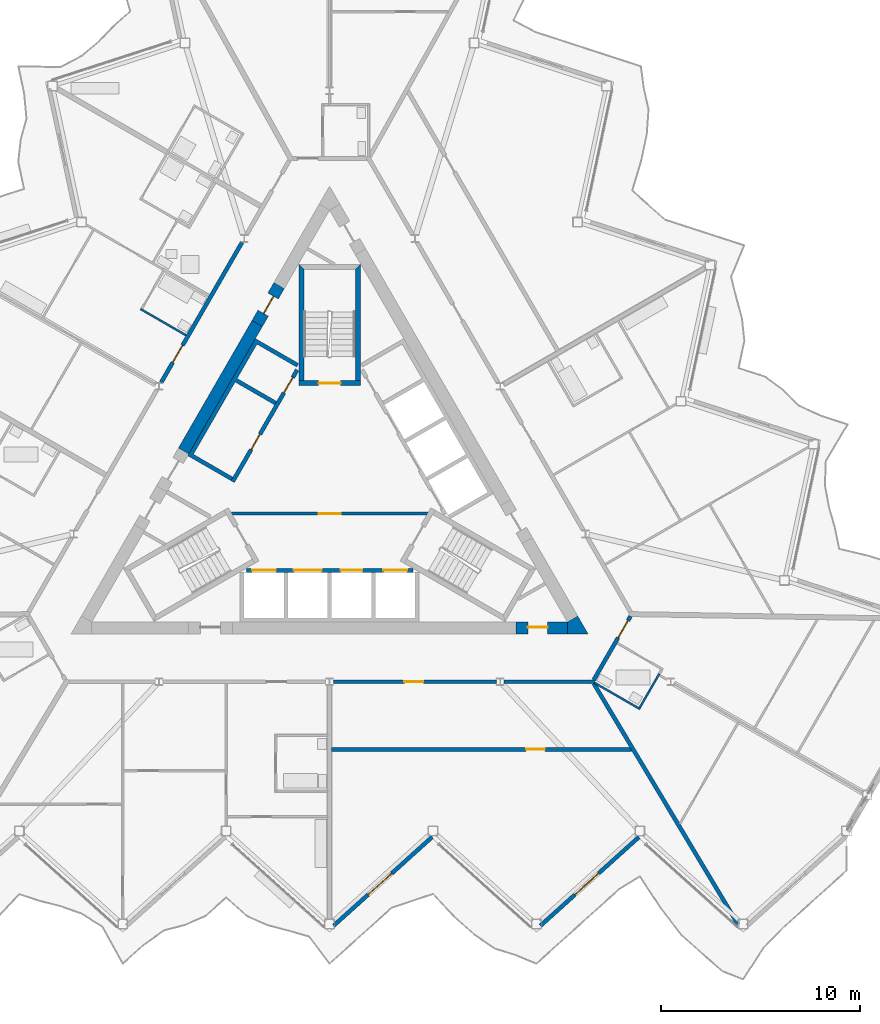
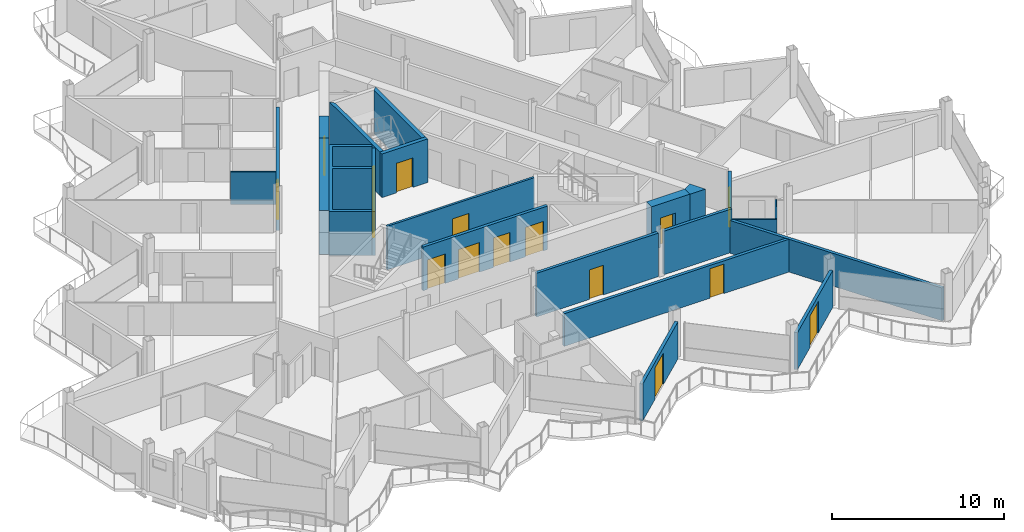
# One storey, part 14 of 26: 22 walls, 16 doors, 16 openings.
"""IFC4 building model written with IfcOpenShell, lengths in metres."""

from ifc_helpers import new_model, si_unit, direction, frame, frame_2d, origin, place, context, subcontext, project, spatial, polyline, rectangle, outline, extrude, material, layer, layer_set, type_object, element, fill, save


model = new_model("IFC4")

# Units and contexts
model_context = context("Model", 3, precision=1e-05, world=origin(), true_north=direction((0.0, 1.0)))
body_context = subcontext(model_context, "Body", "Model", "MODEL_VIEW")
ifc_project = project(units=[si_unit("LENGTHUNIT", "METRE"), si_unit("AREAUNIT", "SQUARE_METRE"), si_unit("VOLUMEUNIT", "CUBIC_METRE"), si_unit("PLANEANGLEUNIT", "RADIAN"), si_unit("MASSUNIT", "GRAM", prefix="KILO")], contexts=[model_context])

# Site, building, storey
site_placement = place(None, origin())
site = spatial("IfcSite", under=ifc_project, at=site_placement, CompositionType="ELEMENT")
building_placement = place(site_placement, origin())
building = spatial("IfcBuilding", under=site, at=building_placement, Name="Cormorant Prow Tower", CompositionType="ELEMENT")
storey_placement = place(building_placement, frame((0.0, 0.0, 388.199951171875)))
storey = spatial("IfcBuildingStorey", under=building, at=storey_placement, Name="L88", CompositionType="ELEMENT", Elevation=388.199951171875)

# Wall, opening, door
ifc_material_1 = material(Name="Gypsum board partition")
ifc_layer_1 = layer(ifc_material_1, 0.14990234375)
ifc_layer_set_1 = layer_set([ifc_layer_1], Name="Gypsum board partition")
wall_type_1 = type_object("IfcWallType", Name="Core partition 150", PredefinedType="PARTITIONING", material=ifc_layer_set_1)
wall_1_placement = place(storey_placement, frame((-4.941162109375, -1.449951171875, 0.0), z_axis=(0.0, 0.0, 1.0), x_axis=(1.0, 0.0, 0.0)))
wall_1 = element("IfcWall", 1, at=wall_1_placement, inside=storey, type_object=wall_type_1, Name="Firefighting lobby partition", PredefinedType="PARTITIONING", context=body_context, shape_type="SweptSolid", body=[
    extrude(rectangle(XDim=9.88232421875, YDim=0.14990234375, at=frame_2d((4.941162109375, 0.0))), origin(), (0.0, 0.0, 1.0), 3.10009765625),
])
opening_1_placement = place(wall_1_placement, frame((4.39111328125, 0.0, 0.0)))
opening_1 = element("IfcOpeningElement", 2, at=opening_1_placement, cuts=wall_1, Name="Opening L88-C11", PredefinedType="OPENING", context=body_context, shape_type="SweptSolid", body=[
    extrude(rectangle(XDim=1.10009765625, YDim=2.10009765625, at=frame_2d((0.550048828125, 1.050048828125))), frame((0.0, 0.0849609375, 0.0), z_axis=(0.0, -1.0, 0.0), x_axis=(1.0, 0.0, 0.0)), (0.0, 0.0, 1.0), 0.169921875),
])
ifc_material_2 = material(Name="Painted steel", Category="steel")
door_type_1 = type_object("IfcDoorType", Name="Firefighting lobby door 1100x2100", OperationType="NOTDEFINED", PredefinedType="DOOR", material=ifc_material_2)
door_1_placement = place(opening_1_placement, origin())
door_1 = element("IfcDoor", 3, at=door_1_placement, inside=storey, type_object=door_type_1, Name="Firefighting lobby door", OperationType="SINGLE_SWING_LEFT", OverallHeight=2.10009765625, OverallWidth=1.10009765625, PredefinedType="DOOR", context=body_context, shape_type="SweptSolid", body=[
    extrude(rectangle(XDim=1.10009765625, YDim=2.10009765625, at=frame_2d((0.550048828125, 1.050048828125))), frame((0.0, 0.02490234375, 0.0), z_axis=(0.0, -1.0, 0.0), x_axis=(1.0, 0.0, 0.0)), (0.0, 0.0, 1.0), 0.050048828125),
])
fill(opening_1, door_1)

# Walls
ifc_material_3 = material(Name="Concrete 8000 psi", Category="concrete")
ifc_layer_2 = layer(ifc_material_3, 0.60009765625)
ifc_layer_set_2 = layer_set([ifc_layer_2], Name="Concrete 8000 psi")
wall_type_2 = type_object("IfcWallType", Name="Core shear wall 600", PredefinedType="SHEAR", material=ifc_layer_set_2)
wall_2_placement = place(storey_placement, frame((-3.639404296875, 8.107421875, 0.0), z_axis=(0.0, 0.0, 1.0), x_axis=(-0.49999180351, -0.866030135978, 0.0)))
element("IfcWall", 4, at=wall_2_placement, inside=storey, type_object=wall_type_2, Name="Core wall", PredefinedType="SHEAR", context=body_context, shape_type="SweptSolid", body=[
    extrude(rectangle(XDim=7.4013671875, YDim=0.60009765625, at=frame_2d((3.70068359375, 0.0))), origin(), (0.0, 0.0, 1.0), 3.10009765625),
])
wall_3_placement = place(storey_placement, origin())
element("IfcWall", 5, at=wall_3_placement, inside=storey, type_object=wall_type_2, Name="Core wall corner", PredefinedType="SHEAR", context=body_context, shape_type="SweptSolid", body=[
    extrude(outline(polyline([(11.960693359375, -7.505615234375), (11.960693359375, -6.905517578125), (12.48046875, -6.605712890625), (13.0, -7.505615234375), (11.960693359375, -7.505615234375)])), origin(), (0.0, 0.0, 1.0), 3.10009765625),
])

# Wall, opening, door
wall_4_placement = place(storey_placement, frame((9.36865234375, -7.20556640625, 0.0), z_axis=(0.0, 0.0, 1.0), x_axis=(1.0, 0.0, 0.0)))
wall_4 = element("IfcWall", 6, at=wall_4_placement, inside=storey, type_object=wall_type_2, Name="Core wall door panel", PredefinedType="SHEAR", context=body_context, shape_type="SweptSolid", body=[
    extrude(rectangle(XDim=2.592041015625, YDim=0.60009765625, at=frame_2d((1.2958984375, 0.0))), origin(), (0.0, 0.0, 1.0), 3.10009765625),
])
opening_2_placement = place(wall_4_placement, frame((0.60009765625, 0.0, 0.0)))
opening_2 = element("IfcOpeningElement", 7, at=opening_2_placement, cuts=wall_4, Name="Opening L88-C15", PredefinedType="OPENING", context=body_context, shape_type="SweptSolid", body=[
    extrude(rectangle(XDim=1.0, YDim=2.10009765625, at=frame_2d((0.5, 1.050048828125))), frame((0.0, 0.31005859375, 0.0), z_axis=(0.0, -1.0, 0.0), x_axis=(1.0, 0.0, 0.0)), (0.0, 0.0, 1.0), 0.6201171875),
])
ifc_material_4 = material(Name="Painted steel", Category="steel")
door_type_2 = type_object("IfcDoorType", Name="Service door 1000x2100", OperationType="NOTDEFINED", PredefinedType="DOOR", material=ifc_material_4)
door_2_placement = place(opening_2_placement, origin())
door_2 = element("IfcDoor", 8, at=door_2_placement, inside=storey, type_object=door_type_2, Name="Core door, Telecom room", OperationType="SINGLE_SWING_RIGHT", OverallHeight=2.10009765625, OverallWidth=1.0, PredefinedType="DOOR", context=body_context, shape_type="SweptSolid", body=[
    extrude(rectangle(XDim=1.0, YDim=2.10009765625, at=frame_2d((0.5, 1.050048828125))), frame((0.0, 0.05517578125, 0.0), z_axis=(0.0, -1.0, 0.0), x_axis=(1.0, 0.0, 0.0)), (0.0, 0.0, 1.0), 0.050048828125),
])
fill(opening_2, door_2)

wall_5_placement = place(storey_placement, frame((-2.539306640625, 10.0126953125, 0.0), z_axis=(0.0, 0.0, 1.0), x_axis=(-0.50002983664, -0.866008176907, 0.0)))
wall_5 = element("IfcWall", 9, at=wall_5_placement, inside=storey, type_object=wall_type_2, Name="Core wall door panel", PredefinedType="SHEAR", context=body_context, shape_type="SweptSolid", body=[
    extrude(rectangle(XDim=2.199951171875, YDim=0.60009765625, at=frame_2d((1.10009765625, 0.0))), origin(), (0.0, 0.0, 1.0), 3.10009765625),
])
opening_3_placement = place(wall_5_placement, frame((0.60009765625, 0.0, 0.0)))
opening_3 = element("IfcOpeningElement", 10, at=opening_3_placement, cuts=wall_5, Name="Opening L88-C19", PredefinedType="OPENING", context=body_context, shape_type="SweptSolid", body=[
    extrude(rectangle(XDim=1.0, YDim=2.10009765625, at=frame_2d((0.5, 1.050048828125))), frame((0.0, 0.31005859375, 0.0), z_axis=(0.0, -1.0, 0.0), x_axis=(1.0, 0.0, 0.0)), (0.0, 0.0, 1.0), 0.6201171875),
])
door_3_placement = place(opening_3_placement, origin())
door_3 = element("IfcDoor", 11, at=door_3_placement, inside=storey, type_object=door_type_2, Name="Core door, Telecom room", OperationType="SINGLE_SWING_LEFT", OverallHeight=2.10009765625, OverallWidth=1.0, PredefinedType="DOOR", context=body_context, shape_type="SweptSolid", body=[
    extrude(rectangle(XDim=1.0, YDim=2.10009765625, at=frame_2d((0.5, 1.050048828125))), frame((0.0, 0.05517578125, 0.0), z_axis=(0.0, -1.0, 0.0), x_axis=(1.0, 0.0, 0.0)), (0.0, 0.0, 1.0), 0.050048828125),
])
fill(opening_3, door_3)

ifc_material_5 = material(Name="Gypsum board corridor wall")
ifc_layer_3 = layer(ifc_material_5, 0.199951171875)
ifc_layer_set_3 = layer_set([ifc_layer_3], Name="Gypsum board corridor wall")
wall_type_3 = type_object("IfcWallType", Name="Corridor wall 200", PredefinedType="PARTITIONING", material=ifc_layer_set_3)
wall_6_placement = place(storey_placement, frame((0.197021484375, -9.905517578125, 0.0), z_axis=(0.0, 0.0, 1.0), x_axis=(1.0, 0.0, 0.0)))
wall_6 = element("IfcWall", 12, at=wall_6_placement, inside=storey, type_object=wall_type_3, Name="Corridor wall", PredefinedType="PARTITIONING", context=body_context, shape_type="SweptSolid", body=[
    extrude(rectangle(XDim=8.1845703125, YDim=0.199951171875, at=frame_2d((4.09228515625, 0.0))), origin(), (0.0, 0.0, 1.0), 3.10009765625),
])
opening_4_placement = place(wall_6_placement, frame((3.56689453125, 0.0, 0.0)))
opening_4 = element("IfcOpeningElement", 13, at=opening_4_placement, cuts=wall_6, Name="Opening L88-F08", PredefinedType="OPENING", context=body_context, shape_type="SweptSolid", body=[
    extrude(rectangle(XDim=0.949951171875, YDim=2.10009765625, at=frame_2d((0.47509765625, 1.050048828125))), frame((0.0, 0.10986328125, 0.0), z_axis=(0.0, -1.0, 0.0), x_axis=(1.0, 0.0, 0.0)), (0.0, 0.0, 1.0), 0.219970703125),
])
ifc_material_6 = material(Name="Timber door leaf", Category="wood")
door_type_3 = type_object("IfcDoorType", Name="Store door 950x2100", OperationType="NOTDEFINED", PredefinedType="DOOR", material=ifc_material_6)
door_4_placement = place(opening_4_placement, origin())
door_4 = element("IfcDoor", 14, at=door_4_placement, inside=storey, type_object=door_type_3, Name="Bicycle store door", OperationType="SINGLE_SWING_LEFT", OverallHeight=2.10009765625, OverallWidth=0.949951171875, PredefinedType="DOOR", context=body_context, shape_type="SweptSolid", body=[
    extrude(rectangle(XDim=0.949951171875, YDim=2.10009765625, at=frame_2d((0.47509765625, 1.050048828125))), frame((0.0, 0.02490234375, 0.0), z_axis=(0.0, -1.0, 0.0), x_axis=(1.0, 0.0, 0.0)), (0.0, 0.0, 1.0), 0.050048828125),
])
fill(opening_4, door_4)

wall_7_placement = place(storey_placement, frame((-8.464599609375, 5.14990234375, 0.0), z_axis=(0.0, 0.0, 1.0), x_axis=(0.499992155518, 0.866029932751, 0.0)))
wall_7 = element("IfcWall", 15, at=wall_7_placement, inside=storey, type_object=wall_type_3, Name="Corridor wall", PredefinedType="PARTITIONING", context=body_context, shape_type="SweptSolid", body=[
    extrude(rectangle(XDim=8.123291015625, YDim=0.199951171875, at=frame_2d((4.0615234375, 0.0))), origin(), (0.0, 0.0, 1.0), 3.10009765625),
])
opening_5_placement = place(wall_7_placement, frame((1.1533203125, 0.0, 0.0)))
opening_5 = element("IfcOpeningElement", 16, at=opening_5_placement, cuts=wall_7, Name="Opening L88-F33", PredefinedType="OPENING", context=body_context, shape_type="SweptSolid", body=[
    extrude(rectangle(XDim=1.0, YDim=2.10009765625, at=frame_2d((0.5, 1.050048828125))), frame((0.0, 0.10986328125, 0.0), z_axis=(0.0, -1.0, 0.0), x_axis=(1.0, 0.0, 0.0)), (0.0, 0.0, 1.0), 0.219970703125),
])
ifc_material_7 = material(Name="Timber door leaf", Category="wood")
door_type_4 = type_object("IfcDoorType", Name="Flat or room entrance door 1000x2100", OperationType="NOTDEFINED", PredefinedType="DOOR", material=ifc_material_7)
door_5_placement = place(opening_5_placement, origin())
door_5 = element("IfcDoor", 17, at=door_5_placement, inside=storey, type_object=door_type_4, Name="Living room door", OperationType="SINGLE_SWING_RIGHT", OverallHeight=2.10009765625, OverallWidth=1.0, PredefinedType="DOOR", context=body_context, shape_type="SweptSolid", body=[
    extrude(rectangle(XDim=1.0, YDim=2.10009765625, at=frame_2d((0.5, 1.050048828125))), frame((0.0, 0.02490234375, 0.0), z_axis=(0.0, -1.0, 0.0), x_axis=(1.0, 0.0, 0.0)), (0.0, 0.0, 1.0), 0.050048828125),
])
fill(opening_5, door_5)

# Wall
wall_8_placement = place(storey_placement, frame((8.775390625, -9.905517578125, 0.0), z_axis=(0.0, 0.0, 1.0), x_axis=(1.0, 0.0, 0.0)))
element("IfcWall", 18, at=wall_8_placement, inside=storey, type_object=wall_type_3, Name="Corridor wall", PredefinedType="PARTITIONING", context=body_context, shape_type="SweptSolid", body=[
    extrude(rectangle(XDim=4.555419921875, YDim=0.199951171875, at=frame_2d((2.27783203125, 0.0))), origin(), (0.0, 0.0, 1.0), 3.10009765625),
])

# Wall, opening, door
wall_9_placement = place(storey_placement, frame((13.281005859375, -9.819091796875, 0.0), z_axis=(0.0, 0.0, 1.0), x_axis=(0.499948957823, 0.866054870994, 0.0)))
wall_9 = element("IfcWall", 19, at=wall_9_placement, inside=storey, type_object=wall_type_3, Name="Corridor wall", PredefinedType="PARTITIONING", context=body_context, shape_type="SweptSolid", body=[
    extrude(rectangle(XDim=3.701171875, YDim=0.199951171875, at=frame_2d((1.8505859375, 0.0))), origin(), (0.0, 0.0, 1.0), 3.10009765625),
])
opening_6_placement = place(wall_9_placement, frame((2.450927734375, 0.0, 0.0)))
opening_6 = element("IfcOpeningElement", 20, at=opening_6_placement, cuts=wall_9, Name="Opening L88-F10", PredefinedType="OPENING", context=body_context, shape_type="SweptSolid", body=[
    extrude(rectangle(XDim=1.0, YDim=2.10009765625, at=frame_2d((0.5, 1.050048828125))), frame((0.0, 0.10986328125, 0.0), z_axis=(0.0, -1.0, 0.0), x_axis=(1.0, 0.0, 0.0)), (0.0, 0.0, 1.0), 0.219970703125),
])
door_6_placement = place(opening_6_placement, origin())
door_6 = element("IfcDoor", 21, at=door_6_placement, inside=storey, type_object=door_type_4, Name="Living room door", OperationType="SINGLE_SWING_RIGHT", OverallHeight=2.10009765625, OverallWidth=1.0, PredefinedType="DOOR", context=body_context, shape_type="SweptSolid", body=[
    extrude(rectangle(XDim=1.0, YDim=2.10009765625, at=frame_2d((0.5, 1.050048828125))), frame((0.0, 0.02490234375, 0.0), z_axis=(0.0, -1.0, 0.0), x_axis=(1.0, 0.0, 0.0)), (0.0, 0.0, 1.0), 0.050048828125),
])
fill(opening_6, door_6)

ifc_material_8 = material(Name="Gypsum board demising wall")
ifc_layer_4 = layer(ifc_material_8, 0.199951171875)
ifc_layer_set_4 = layer_set([ifc_layer_4], Name="Gypsum board demising wall")
wall_type_4 = type_object("IfcWallType", Name="Demising wall 200", PredefinedType="PARTITIONING", material=ifc_layer_set_4)
wall_10_placement = place(storey_placement, frame((0.10009765625, -13.3056640625, 0.0), z_axis=(0.0, 0.0, 1.0), x_axis=(1.0, 0.0, 0.0)))
wall_10 = element("IfcWall", 22, at=wall_10_placement, inside=storey, type_object=wall_type_4, Name="Demising wall", PredefinedType="PARTITIONING", context=body_context, shape_type="SweptSolid", body=[
    extrude(rectangle(XDim=15.09375, YDim=0.199951171875, at=frame_2d((7.546875, 0.0))), origin(), (0.0, 0.0, 1.0), 2.330078125),
])
opening_7_placement = place(wall_10_placement, frame((9.78076171875, 0.0, 0.0)))
opening_7 = element("IfcOpeningElement", 23, at=opening_7_placement, cuts=wall_10, Name="Opening L88-F09", PredefinedType="OPENING", context=body_context, shape_type="SweptSolid", body=[
    extrude(rectangle(XDim=0.949951171875, YDim=2.10009765625, at=frame_2d((0.47509765625, 1.050048828125))), frame((0.0, 0.10986328125, 0.0), z_axis=(0.0, -1.0, 0.0), x_axis=(1.0, 0.0, 0.0)), (0.0, 0.0, 1.0), 0.219970703125),
])
door_7_placement = place(opening_7_placement, origin())
door_7 = element("IfcDoor", 24, at=door_7_placement, inside=storey, type_object=door_type_3, Name="Refuse room door", OperationType="SINGLE_SWING_LEFT", OverallHeight=2.10009765625, OverallWidth=0.949951171875, PredefinedType="DOOR", context=body_context, shape_type="SweptSolid", body=[
    extrude(rectangle(XDim=0.949951171875, YDim=2.10009765625, at=frame_2d((0.47509765625, 1.050048828125))), frame((0.0, 0.02490234375, 0.0), z_axis=(0.0, -1.0, 0.0), x_axis=(1.0, 0.0, 0.0)), (0.0, 0.0, 1.0), 0.050048828125),
])
fill(opening_7, door_7)

# Walls
wall_11_placement = place(storey_placement, frame((13.2822265625, -9.9912109375, 0.0), z_axis=(0.0, 0.0, 1.0), x_axis=(0.513867741763, -0.857869421285, 0.0)))
element("IfcWall", 25, at=wall_11_placement, inside=storey, type_object=wall_type_4, Name="Demising wall", PredefinedType="PARTITIONING", context=body_context, shape_type="SweptSolid", body=[
    extrude(rectangle(XDim=14.123779296875, YDim=0.199951171875, at=frame_2d((7.06201171875, 0.0))), origin(), (0.0, 0.0, 1.0), 2.330078125),
])
ifc_material_9 = material(Name="Gypsum board partition")
ifc_layer_5 = layer(ifc_material_9, 0.10009765625)
ifc_layer_set_5 = layer_set([ifc_layer_5], Name="Gypsum board partition")
wall_type_5 = type_object("IfcWallType", Name="Internal partition 100", PredefinedType="PARTITIONING", material=ifc_layer_set_5)
wall_12_placement = place(storey_placement, frame((-9.510009765625, 8.83935546875, 0.0), z_axis=(0.0, 0.0, 1.0), x_axis=(0.866029095148, -0.499993606316, 0.0)))
element("IfcWall", 26, at=wall_12_placement, inside=storey, type_object=wall_type_5, Name="Internal partition", PredefinedType="PARTITIONING", context=body_context, shape_type="SweptSolid", body=[
    extrude(rectangle(XDim=2.64990234375, YDim=0.10009765625, at=frame_2d((1.324951171875, 0.0))), origin(), (0.0, 0.0, 1.0), 2.330078125),
])
wall_13_placement = place(storey_placement, frame((13.3173828125, -9.95556640625, 0.0), z_axis=(0.0, 0.0, 1.0), x_axis=(0.866052124492, -0.499953715521, 0.0)))
element("IfcWall", 27, at=wall_13_placement, inside=storey, type_object=wall_type_5, Name="Internal partition", PredefinedType="PARTITIONING", context=body_context, shape_type="SweptSolid", body=[
    extrude(rectangle(XDim=2.650146484375, YDim=0.10009765625, at=frame_2d((1.3251953125, 0.0))), origin(), (0.0, 0.0, 1.0), 2.330078125),
])
wall_14_placement = place(storey_placement, frame((15.59423828125, -11.21240234375, 0.0), z_axis=(0.0, 0.0, 1.0), x_axis=(0.500011643316, 0.866018681408, 0.0)))
element("IfcWall", 28, at=wall_14_placement, inside=storey, type_object=wall_type_5, Name="Internal partition", PredefinedType="PARTITIONING", context=body_context, shape_type="SweptSolid", body=[
    extrude(rectangle(XDim=1.97314453125, YDim=0.10009765625, at=frame_2d((0.986572265625, 0.0))), origin(), (0.0, 0.0, 1.0), 2.330078125),
])

# Wall, openings, doors
ifc_material_10 = material(Name="Concrete 5000 psi", Category="concrete")
ifc_layer_6 = layer(ifc_material_10, 0.199951171875)
ifc_layer_set_6 = layer_set([ifc_layer_6], Name="Concrete 5000 psi")
wall_type_6 = type_object("IfcWallType", Name="Lift lobby wall 200", PredefinedType="SOLIDWALL", material=ifc_layer_set_6)
wall_15_placement = place(storey_placement, frame((-4.1865234375, -4.300048828125, 0.0), z_axis=(0.0, 0.0, 1.0), x_axis=(1.0, 0.0, 0.0)))
wall_15 = element("IfcWall", 29, at=wall_15_placement, inside=storey, type_object=wall_type_6, Name="Lift lobby wall, S block", PredefinedType="SOLIDWALL", context=body_context, shape_type="SweptSolid", body=[
    extrude(rectangle(XDim=8.373046875, YDim=0.199951171875, at=frame_2d((4.1865234375, 0.0))), origin(), (0.0, 0.0, 1.0), 3.10009765625),
])
opening_8_placement = place(wall_15_placement, frame((0.28662109375, 0.0, 0.0)))
opening_8 = element("IfcOpeningElement", 30, at=opening_8_placement, cuts=wall_15, Name="Opening L88-C01", PredefinedType="OPENING", context=body_context, shape_type="SweptSolid", body=[
    extrude(rectangle(XDim=1.199951171875, YDim=2.10009765625, at=frame_2d((0.60009765625, 1.050048828125))), frame((0.0, 0.10986328125, 0.0), z_axis=(0.0, -1.0, 0.0), x_axis=(1.0, 0.0, 0.0)), (0.0, 0.0, 1.0), 0.219970703125),
])
opening_9_placement = place(wall_15_placement, frame((2.38671875, 0.0, 0.0)))
opening_9 = element("IfcOpeningElement", 31, at=opening_9_placement, cuts=wall_15, Name="Opening L88-C02", PredefinedType="OPENING", context=body_context, shape_type="SweptSolid", body=[
    extrude(rectangle(XDim=1.39990234375, YDim=2.10009765625, at=frame_2d((0.699951171875, 1.050048828125))), frame((0.0, 0.10986328125, 0.0), z_axis=(0.0, -1.0, 0.0), x_axis=(1.0, 0.0, 0.0)), (0.0, 0.0, 1.0), 0.219970703125),
])
opening_10_placement = place(wall_15_placement, frame((4.736572265625, 0.0, 0.0)))
opening_10 = element("IfcOpeningElement", 32, at=opening_10_placement, cuts=wall_15, Name="Opening L88-C03", PredefinedType="OPENING", context=body_context, shape_type="SweptSolid", body=[
    extrude(rectangle(XDim=1.10009765625, YDim=2.10009765625, at=frame_2d((0.550048828125, 1.050048828125))), frame((0.0, 0.10986328125, 0.0), z_axis=(0.0, -1.0, 0.0), x_axis=(1.0, 0.0, 0.0)), (0.0, 0.0, 1.0), 0.219970703125),
])
opening_11_placement = place(wall_15_placement, frame((6.88671875, 0.0, 0.0)))
opening_11 = element("IfcOpeningElement", 33, at=opening_11_placement, cuts=wall_15, Name="Opening L88-C04", PredefinedType="OPENING", context=body_context, shape_type="SweptSolid", body=[
    extrude(rectangle(XDim=1.199951171875, YDim=2.10009765625, at=frame_2d((0.60009765625, 1.050048828125))), frame((0.0, 0.10986328125, 0.0), z_axis=(0.0, -1.0, 0.0), x_axis=(1.0, 0.0, 0.0)), (0.0, 0.0, 1.0), 0.219970703125),
])
ifc_material_11 = material(Name="Painted steel", Category="steel")
door_type_5 = type_object("IfcDoorType", Name="Firefighting lift landing door 1200x2100", OperationType="SLIDING_TO_LEFT", PredefinedType="DOOR", material=ifc_material_11)
door_8_placement = place(opening_8_placement, origin())
door_8 = element("IfcDoor", 34, at=door_8_placement, inside=storey, type_object=door_type_5, Name="Landing door FL1", OperationType="SLIDING_TO_LEFT", OverallHeight=2.10009765625, OverallWidth=1.199951171875, PredefinedType="DOOR", context=body_context, shape_type="SweptSolid", body=[
    extrude(rectangle(XDim=1.199951171875, YDim=2.10009765625, at=frame_2d((0.60009765625, 1.050048828125))), frame((0.0, 0.02490234375, 0.0), z_axis=(0.0, -1.0, 0.0), x_axis=(1.0, 0.0, 0.0)), (0.0, 0.0, 1.0), 0.050048828125),
])
fill(opening_8, door_8)
door_9_placement = place(opening_11_placement, origin())
door_9 = element("IfcDoor", 35, at=door_9_placement, inside=storey, type_object=door_type_5, Name="Landing door FL2", OperationType="SLIDING_TO_LEFT", OverallHeight=2.10009765625, OverallWidth=1.199951171875, PredefinedType="DOOR", context=body_context, shape_type="SweptSolid", body=[
    extrude(rectangle(XDim=1.199951171875, YDim=2.10009765625, at=frame_2d((0.60009765625, 1.050048828125))), frame((0.0, 0.02490234375, 0.0), z_axis=(0.0, -1.0, 0.0), x_axis=(1.0, 0.0, 0.0)), (0.0, 0.0, 1.0), 0.050048828125),
])
fill(opening_11, door_9)
ifc_material_12 = material(Name="Painted steel", Category="steel")
door_type_6 = type_object("IfcDoorType", Name="Lift landing door 1100x2100", OperationType="SLIDING_TO_LEFT", PredefinedType="DOOR", material=ifc_material_12)
door_10_placement = place(opening_10_placement, origin())
door_10 = element("IfcDoor", 36, at=door_10_placement, inside=storey, type_object=door_type_6, Name="Landing door HR1", OperationType="SLIDING_TO_LEFT", OverallHeight=2.10009765625, OverallWidth=1.10009765625, PredefinedType="DOOR", context=body_context, shape_type="SweptSolid", body=[
    extrude(rectangle(XDim=1.10009765625, YDim=2.10009765625, at=frame_2d((0.550048828125, 1.050048828125))), frame((0.0, 0.02490234375, 0.0), z_axis=(0.0, -1.0, 0.0), x_axis=(1.0, 0.0, 0.0)), (0.0, 0.0, 1.0), 0.050048828125),
])
fill(opening_10, door_10)
ifc_material_13 = material(Name="Painted steel", Category="steel")
door_type_7 = type_object("IfcDoorType", Name="Service lift landing door 1400x2100", OperationType="SLIDING_TO_LEFT", PredefinedType="DOOR", material=ifc_material_13)
door_11_placement = place(opening_9_placement, origin())
door_11 = element("IfcDoor", 37, at=door_11_placement, inside=storey, type_object=door_type_7, Name="Landing door SL1", OperationType="SLIDING_TO_LEFT", OverallHeight=2.10009765625, OverallWidth=1.39990234375, PredefinedType="DOOR", context=body_context, shape_type="SweptSolid", body=[
    extrude(rectangle(XDim=1.39990234375, YDim=2.10009765625, at=frame_2d((0.699951171875, 1.050048828125))), frame((0.0, 0.02490234375, 0.0), z_axis=(0.0, -1.0, 0.0), x_axis=(1.0, 0.0, 0.0)), (0.0, 0.0, 1.0), 0.050048828125),
])
fill(opening_9, door_11)

wall_16_placement = place(storey_placement, frame((-1.630615234375, 5.775634765625, 0.0), z_axis=(0.0, 0.0, 1.0), x_axis=(-0.499992876559, -0.866029516466, 0.0)))
wall_16 = element("IfcWall", 38, at=wall_16_placement, inside=storey, type_object=wall_type_6, Name="Lift lobby wall, WNW block", PredefinedType="SOLIDWALL", context=body_context, shape_type="SweptSolid", body=[
    extrude(rectangle(XDim=6.486328125, YDim=0.199951171875, at=frame_2d((3.2431640625, 0.0))), origin(), (0.0, 0.0, 1.0), 3.10009765625),
])
opening_12_placement = place(wall_16_placement, frame((0.4365234375, 0.0, 0.0)))
opening_12 = element("IfcOpeningElement", 39, at=opening_12_placement, cuts=wall_16, Name="Opening L88-C09", PredefinedType="OPENING", context=body_context, shape_type="SweptSolid", body=[
    extrude(rectangle(XDim=0.89990234375, YDim=2.10009765625, at=frame_2d((0.449951171875, 1.050048828125))), frame((0.0, 0.10986328125, 0.0), z_axis=(0.0, -1.0, 0.0), x_axis=(1.0, 0.0, 0.0)), (0.0, 0.0, 1.0), 0.219970703125),
])
opening_13_placement = place(wall_16_placement, frame((3.736572265625, 0.0, 0.0)))
opening_13 = element("IfcOpeningElement", 40, at=opening_13_placement, cuts=wall_16, Name="Opening L88-C10", PredefinedType="OPENING", context=body_context, shape_type="SweptSolid", body=[
    extrude(rectangle(XDim=0.89990234375, YDim=2.10009765625, at=frame_2d((0.449951171875, 1.050048828125))), frame((0.0, 0.10986328125, 0.0), z_axis=(0.0, -1.0, 0.0), x_axis=(1.0, 0.0, 0.0)), (0.0, 0.0, 1.0), 0.219970703125),
])
ifc_material_14 = material(Name="Painted steel", Category="steel")
door_type_8 = type_object("IfcDoorType", Name="Service door 900x2100", OperationType="NOTDEFINED", PredefinedType="DOOR", material=ifc_material_14)
door_12_placement = place(opening_12_placement, origin())
door_12 = element("IfcDoor", 41, at=door_12_placement, inside=storey, type_object=door_type_8, Name="Service door, Electrical room", OperationType="SINGLE_SWING_LEFT", OverallHeight=2.10009765625, OverallWidth=0.89990234375, PredefinedType="DOOR", context=body_context, shape_type="SweptSolid", body=[
    extrude(rectangle(XDim=0.89990234375, YDim=2.10009765625, at=frame_2d((0.449951171875, 1.050048828125))), frame((0.0, 0.02490234375, 0.0), z_axis=(0.0, -1.0, 0.0), x_axis=(1.0, 0.0, 0.0)), (0.0, 0.0, 1.0), 0.050048828125),
])
fill(opening_12, door_12)
door_13_placement = place(opening_13_placement, origin())
door_13 = element("IfcDoor", 42, at=door_13_placement, inside=storey, type_object=door_type_8, Name="Service door, Linen store", OperationType="SINGLE_SWING_LEFT", OverallHeight=2.10009765625, OverallWidth=0.89990234375, PredefinedType="DOOR", context=body_context, shape_type="SweptSolid", body=[
    extrude(rectangle(XDim=0.89990234375, YDim=2.10009765625, at=frame_2d((0.449951171875, 1.050048828125))), frame((0.0, 0.02490234375, 0.0), z_axis=(0.0, -1.0, 0.0), x_axis=(1.0, 0.0, 0.0)), (0.0, 0.0, 1.0), 0.050048828125),
])
fill(opening_13, door_13)

# Walls
ifc_material_15 = material(Name="Concrete 8000 psi", Category="concrete")
ifc_layer_7 = layer(ifc_material_15, 0.199951171875)
ifc_layer_set_7 = layer_set([ifc_layer_7], Name="Concrete 8000 psi")
wall_type_7 = type_object("IfcWallType", Name="Lift shaft wall 200", PredefinedType="SHEAR", material=ifc_layer_set_7)
wall_17_placement = place(storey_placement, origin())
element("IfcWall", 43, at=wall_17_placement, inside=storey, type_object=wall_type_7, Name="Lift shaft walls, WNW block", PredefinedType="SHEAR", context=body_context, shape_type="SweptSolid", body=[
    extrude(outline(polyline([(-4.96044921875, 0.2080078125), (-7.130859375, 1.461181640625), (-3.730712890625, 7.35009765625), (-1.560546875, 6.09716796875), (-1.660400390625, 5.923828125), (-3.65234375, 7.073974609375), (-4.65234375, 5.341796875), (-2.660400390625, 4.19189453125), (-2.760498046875, 4.018798828125), (-4.75244140625, 5.168701171875), (-6.852294921875, 1.53125), (-4.860595703125, 0.38134765625), (-4.96044921875, 0.2080078125)])), origin(), (0.0, 0.0, 1.0), 3.10009765625),
])
ifc_material_16 = material(Name="Concrete 8000 psi", Category="concrete")
ifc_layer_8 = layer(ifc_material_16, 0.25)
ifc_layer_set_8 = layer_set([ifc_layer_8], Name="Concrete 8000 psi")
wall_type_8 = type_object("IfcWallType", Name="Stair wall 250", PredefinedType="SHEAR", material=ifc_layer_set_8)
wall_18_placement = place(storey_placement, origin())
element("IfcWall", 44, at=wall_18_placement, inside=storey, type_object=wall_type_8, Name="Stair ST3 enclosure wall (flank)", PredefinedType="SHEAR", context=body_context, shape_type="SweptSolid", body=[
    extrude(outline(polyline([(1.5439453125, 5.23681640625), (1.5439453125, 11.0869140625), (1.2939453125, 10.8369140625), (1.2939453125, 5.23681640625), (1.5439453125, 5.23681640625)])), origin(), (0.0, 0.0, 1.0), 3.10009765625),
])
wall_19_placement = place(storey_placement, origin())
element("IfcWall", 45, at=wall_19_placement, inside=storey, type_object=wall_type_8, Name="Stair ST3 enclosure wall (flank)", PredefinedType="SHEAR", context=body_context, shape_type="SweptSolid", body=[
    extrude(outline(polyline([(-1.2939453125, 10.8369140625), (-1.5439453125, 11.0869140625), (-1.5439453125, 5.23681640625), (-1.2939453125, 5.23681640625), (-1.2939453125, 10.8369140625)])), origin(), (0.0, 0.0, 1.0), 3.10009765625),
])

# Wall, opening, door
wall_20_placement = place(storey_placement, frame((1.5439453125, 5.11181640625, 0.0), z_axis=(0.0, 0.0, 1.0), x_axis=(-1.0, 0.0, 0.0)))
wall_20 = element("IfcWall", 46, at=wall_20_placement, inside=storey, type_object=wall_type_8, Name="Stair ST3 door wall", PredefinedType="SHEAR", context=body_context, shape_type="SweptSolid", body=[
    extrude(rectangle(XDim=3.087890625, YDim=0.25, at=frame_2d((1.5439453125, 0.0))), origin(), (0.0, 0.0, 1.0), 3.10009765625),
])
opening_14_placement = place(wall_20_placement, frame((0.993896484375, 0.0, 0.0)))
opening_14 = element("IfcOpeningElement", 47, at=opening_14_placement, cuts=wall_20, Name="Opening L88-C14", PredefinedType="OPENING", context=body_context, shape_type="SweptSolid", body=[
    extrude(rectangle(XDim=1.10009765625, YDim=2.10009765625, at=frame_2d((0.550048828125, 1.050048828125))), frame((0.0, 0.135009765625, 0.0), z_axis=(0.0, -1.0, 0.0), x_axis=(1.0, 0.0, 0.0)), (0.0, 0.0, 1.0), 0.27001953125),
])
ifc_material_17 = material(Name="Painted steel", Category="steel")
door_type_9 = type_object("IfcDoorType", Name="Stair door 1100x2100", OperationType="NOTDEFINED", PredefinedType="DOOR", material=ifc_material_17)
door_14_placement = place(opening_14_placement, origin())
door_14 = element("IfcDoor", 48, at=door_14_placement, inside=storey, type_object=door_type_9, Name="Stair ST3 door", OperationType="SINGLE_SWING_RIGHT", OverallHeight=2.10009765625, OverallWidth=1.10009765625, PredefinedType="DOOR", context=body_context, shape_type="SweptSolid", body=[
    extrude(rectangle(XDim=1.10009765625, YDim=2.10009765625, at=frame_2d((0.550048828125, 1.050048828125))), frame((0.0, 0.02490234375, 0.0), z_axis=(0.0, -1.0, 0.0), x_axis=(1.0, 0.0, 0.0)), (0.0, 0.0, 1.0), 0.050048828125),
])
fill(opening_14, door_14)

ifc_material_18 = material(Name="Terracotta", Category="masonry")
ifc_layer_9 = layer(ifc_material_18, 0.199951171875)
ifc_layer_set_9 = layer_set([ifc_layer_9], Name="Terracotta")
wall_type_9 = type_object("IfcWallType", Name="Terracotta jamb wall 200", PredefinedType="SOLIDWALL", material=ifc_layer_set_9)
wall_21_placement = place(storey_placement, frame((0.205078125, -22.172607421875, 0.0), z_axis=(0.0, 0.0, 1.0), x_axis=(0.743135582201, 0.669140871915, 0.0)))
wall_21 = element("IfcWall", 49, at=wall_21_placement, inside=storey, type_object=wall_type_9, Name="Terracotta jamb wall S05", PredefinedType="SOLIDWALL", context=body_context, shape_type="SweptSolid", body=[
    extrude(rectangle(XDim=6.66162109375, YDim=0.199951171875, at=frame_2d((3.330810546875, 0.0))), origin(), (0.0, 0.0, 1.0), 2.634033203125),
])
opening_15_placement = place(wall_21_placement, frame((2.332763671875, 0.0, 0.0)))
opening_15 = element("IfcOpeningElement", 50, at=opening_15_placement, cuts=wall_21, Name="Opening ED88.03", PredefinedType="OPENING", context=body_context, shape_type="SweptSolid", body=[
    extrude(rectangle(XDim=1.60009765625, YDim=2.25, at=frame_2d((0.800048828125, 1.125))), frame((0.0, 0.10986328125, 0.0), z_axis=(0.0, -1.0, 0.0), x_axis=(1.0, 0.0, 0.0)), (0.0, 0.0, 1.0), 0.219970703125),
])
ifc_material_19 = material(Name="Aluminium 6063-T6", Category="aluminium")
door_type_10 = type_object("IfcDoorType", Name="Balcony door 1600x2250", OperationType="DOUBLE_DOOR_SINGLE_SWING", PredefinedType="DOOR", material=ifc_material_19)
door_15_placement = place(opening_15_placement, origin())
door_15 = element("IfcDoor", 51, at=door_15_placement, inside=storey, type_object=door_type_10, Name="Balcony door S05 ED88.03", OperationType="DOUBLE_DOOR_SINGLE_SWING", OverallHeight=2.25, OverallWidth=1.60009765625, PredefinedType="DOOR", context=body_context, shape_type="SweptSolid", body=[
    extrude(rectangle(XDim=1.60009765625, YDim=2.25, at=frame_2d((0.800048828125, 1.125))), frame((0.0, 0.02490234375, 0.0), z_axis=(0.0, -1.0, 0.0), x_axis=(1.0, 0.0, 0.0)), (0.0, 0.0, 1.0), 0.050048828125),
])
fill(opening_15, door_15)

wall_22_placement = place(storey_placement, frame((10.60498046875, -22.172607421875, 0.0), z_axis=(0.0, 0.0, 1.0), x_axis=(0.743135582201, 0.669140871915, 0.0)))
wall_22 = element("IfcWall", 52, at=wall_22_placement, inside=storey, type_object=wall_type_9, Name="Terracotta jamb wall S07", PredefinedType="SOLIDWALL", context=body_context, shape_type="SweptSolid", body=[
    extrude(rectangle(XDim=6.66162109375, YDim=0.199951171875, at=frame_2d((3.330810546875, 0.0))), origin(), (0.0, 0.0, 1.0), 2.634033203125),
])
opening_16_placement = place(wall_22_placement, frame((2.332763671875, 0.0, 0.0)))
opening_16 = element("IfcOpeningElement", 53, at=opening_16_placement, cuts=wall_22, Name="Opening ED88.04", PredefinedType="OPENING", context=body_context, shape_type="SweptSolid", body=[
    extrude(rectangle(XDim=1.60009765625, YDim=2.25, at=frame_2d((0.800048828125, 1.125))), frame((0.0, 0.10986328125, 0.0), z_axis=(0.0, -1.0, 0.0), x_axis=(1.0, 0.0, 0.0)), (0.0, 0.0, 1.0), 0.219970703125),
])
door_16_placement = place(opening_16_placement, origin())
door_16 = element("IfcDoor", 54, at=door_16_placement, inside=storey, type_object=door_type_10, Name="Balcony door S07 ED88.04", OperationType="DOUBLE_DOOR_SINGLE_SWING", OverallHeight=2.25, OverallWidth=1.60009765625, PredefinedType="DOOR", context=body_context, shape_type="SweptSolid", body=[
    extrude(rectangle(XDim=1.60009765625, YDim=2.25, at=frame_2d((0.800048828125, 1.125))), frame((0.0, 0.02490234375, 0.0), z_axis=(0.0, -1.0, 0.0), x_axis=(1.0, 0.0, 0.0)), (0.0, 0.0, 1.0), 0.050048828125),
])
fill(opening_16, door_16)

save(model, "model.ifc")
